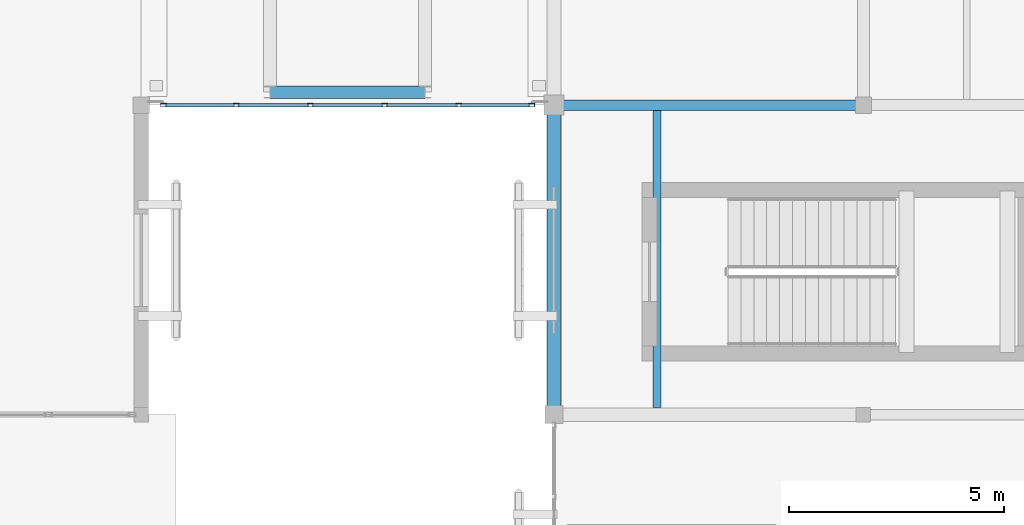
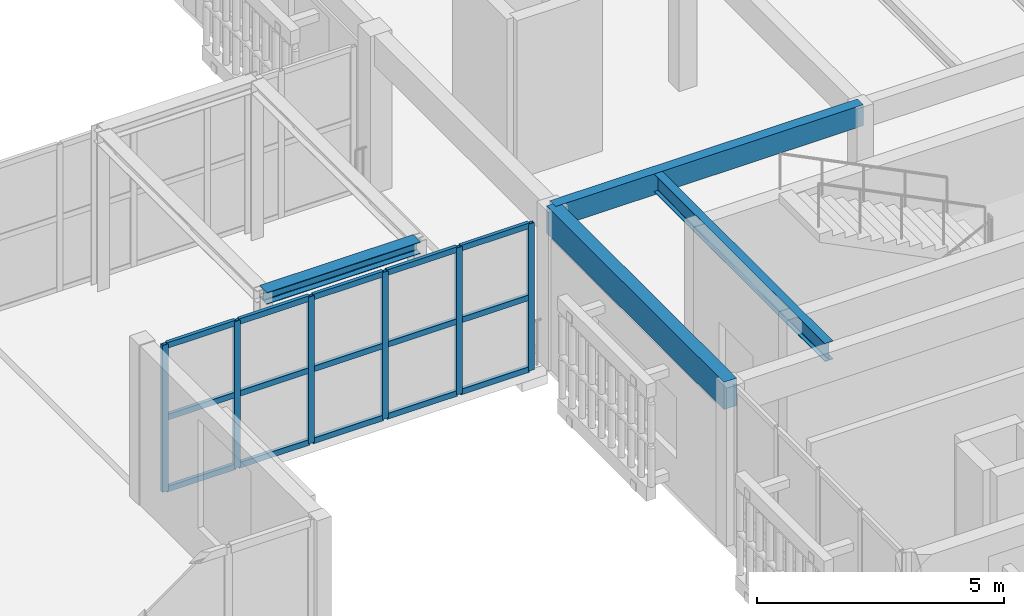
# One storey, part 46 of 217: 21 members, 4 beams, 1 element without a shape of its own.
"""IFC4 building model written with IfcOpenShell, lengths in metres."""

from ifc_helpers import new_model, si_unit, direction, frame, origin, origin_2d, place, context, subcontext, project, spatial, rectangle, hollow_rectangle, i_section, extrude, material, layer, layer_set, material_profile, profile_set, type_object, element, aggregate, save


model = new_model("IFC4")

# Units and contexts
model_context = context("Model", 3, precision=1e-05, world=origin(), true_north=direction((0.0, 1.0)))
body_context = subcontext(model_context, "Body", "Model", "MODEL_VIEW")
ifc_project = project(units=[si_unit("LENGTHUNIT", "METRE"), si_unit("AREAUNIT", "SQUARE_METRE"), si_unit("VOLUMEUNIT", "CUBIC_METRE"), si_unit("PLANEANGLEUNIT", "RADIAN"), si_unit("MASSUNIT", "GRAM", prefix="KILO")], contexts=[model_context])

# Site, building, storey
site_placement = place(None, origin())
site = spatial("IfcSite", under=ifc_project, at=site_placement, CompositionType="ELEMENT")
building_placement = place(site_placement, origin())
building = spatial("IfcBuilding", under=site, at=building_placement, Name="Mazaris Harbour Polytechnic", CompositionType="ELEMENT")
storey_placement = place(building_placement, frame((0.0, 0.0, 9.60009765625)))
storey = spatial("IfcBuildingStorey", under=building, at=storey_placement, Name="L02", CompositionType="ELEMENT", Elevation=9.60009765625)

# Curtain wall, members
ifc_material_1 = material(Name="Anodised Bronze Aluminium and Low-E Glass", Category="aluminium")
ifc_layer = layer(ifc_material_1, 0.139892578125, Name="Anodised Bronze Aluminium and Low-E Glass")
ifc_layer_set = layer_set([ifc_layer], Name="Anodised Bronze Aluminium and Low-E Glass")
curtain_wall_type = type_object("IfcCurtainWallType", Name="Seismic Link Bridge Glazing", PredefinedType="NOTDEFINED", material=ifc_layer_set)
curtain_wall_placement = place(storey_placement, origin())
curtain_wall = element("IfcCurtainWall", 1, at=curtain_wall_placement, inside=storey, type_object=curtain_wall_type, Name="PB-E1 L02 Bridge Glazing", PredefinedType="NOTDEFINED")
ifc_material_2 = material(Name="Anodised Bronze Steel S355", Category="steel")
ifc_material_profile_1 = material_profile(ifc_material_2, hollow_rectangle(XDim=0.080078125, YDim=0.139892578125, WallThickness=0.00634765625, at=origin_2d()), Name="RHS 80x140x6.3")
ifc_profile_set_1 = profile_set([ifc_material_profile_1], Name="Anodised Bronze Steel S355")
member_type_1 = type_object("IfcMemberType", Name="Curtain Mullion RHS80x140", PredefinedType="MULLION", material=ifc_profile_set_1)
member_1_placement = place(storey_placement, frame((113.320068359375, 21.60009765625, 0.0), z_axis=(0.0, 0.0, 1.0), x_axis=(0.0, 1.0, 0.0)))
member_1 = element("IfcMember", 2, at=member_1_placement, type_object=member_type_1, Name="CW-05 mullion 1", PredefinedType="MULLION", context=body_context, shape_type="SweptSolid", body=[
    extrude(hollow_rectangle(XDim=0.080078125, YDim=0.139892578125, WallThickness=0.00634765625, at=origin_2d()), origin(), (0.0, 0.0, 1.0), 3.635009765625),
])
member_2_placement = place(storey_placement, frame((115.008056640625, 21.60009765625, 0.0), z_axis=(0.0, 0.0, 1.0), x_axis=(0.0, 1.0, 0.0)))
member_2 = element("IfcMember", 3, at=member_2_placement, type_object=member_type_1, Name="CW-05 mullion 2", PredefinedType="MULLION", context=body_context, shape_type="SweptSolid", body=[
    extrude(hollow_rectangle(XDim=0.080078125, YDim=0.139892578125, WallThickness=0.00634765625, at=origin_2d()), origin(), (0.0, 0.0, 1.0), 3.635009765625),
])
member_3_placement = place(storey_placement, frame((116.736083984375, 21.60009765625, 0.0), z_axis=(0.0, 0.0, 1.0), x_axis=(0.0, 1.0, 0.0)))
member_3 = element("IfcMember", 4, at=member_3_placement, type_object=member_type_1, Name="CW-05 mullion 3", PredefinedType="MULLION", context=body_context, shape_type="SweptSolid", body=[
    extrude(hollow_rectangle(XDim=0.080078125, YDim=0.139892578125, WallThickness=0.00634765625, at=origin_2d()), origin(), (0.0, 0.0, 1.0), 3.635009765625),
])
member_4_placement = place(storey_placement, frame((118.464111328125, 21.60009765625, 0.0), z_axis=(0.0, 0.0, 1.0), x_axis=(0.0, 1.0, 0.0)))
member_4 = element("IfcMember", 5, at=member_4_placement, type_object=member_type_1, Name="CW-05 mullion 4", PredefinedType="MULLION", context=body_context, shape_type="SweptSolid", body=[
    extrude(hollow_rectangle(XDim=0.080078125, YDim=0.139892578125, WallThickness=0.00634765625, at=origin_2d()), origin(), (0.0, 0.0, 1.0), 3.635009765625),
])
member_5_placement = place(storey_placement, frame((120.19189453125, 21.60009765625, 0.0), z_axis=(0.0, 0.0, 1.0), x_axis=(0.0, 1.0, 0.0)))
member_5 = element("IfcMember", 6, at=member_5_placement, type_object=member_type_1, Name="CW-05 mullion 5", PredefinedType="MULLION", context=body_context, shape_type="SweptSolid", body=[
    extrude(hollow_rectangle(XDim=0.080078125, YDim=0.139892578125, WallThickness=0.00634765625, at=origin_2d()), origin(), (0.0, 0.0, 1.0), 3.635009765625),
])
member_6_placement = place(storey_placement, frame((121.8798828125, 21.60009765625, 0.0), z_axis=(0.0, 0.0, 1.0), x_axis=(0.0, 1.0, 0.0)))
member_6 = element("IfcMember", 7, at=member_6_placement, type_object=member_type_1, Name="CW-05 mullion 6", PredefinedType="MULLION", context=body_context, shape_type="SweptSolid", body=[
    extrude(hollow_rectangle(XDim=0.080078125, YDim=0.139892578125, WallThickness=0.00634765625, at=origin_2d()), origin(), (0.0, 0.0, 1.0), 3.635009765625),
])
ifc_material_3 = material(Name="Anodised Bronze Steel S355", Category="steel")
ifc_material_profile_2 = material_profile(ifc_material_3, hollow_rectangle(XDim=0.080078125, YDim=0.139892578125, WallThickness=0.00634765625, at=origin_2d()), Name="RHS 80x140x6.3")
ifc_profile_set_2 = profile_set([ifc_material_profile_2], Name="Anodised Bronze Steel S355")
member_type_2 = type_object("IfcMemberType", Name="Curtain Transom RHS80x140", PredefinedType="USERDEFINED", material=ifc_profile_set_2)
member_7_placement = place(storey_placement, frame((113.360107421875, 21.60009765625, 0.039794921875), z_axis=(1.0, 0.0, 0.0), x_axis=(0.0, 1.0, 0.0)))
member_7 = element("IfcMember", 8, at=member_7_placement, type_object=member_type_2, Name="CW-05 transom 1.1", ObjectType="TRANSOM", PredefinedType="USERDEFINED", context=body_context, shape_type="SweptSolid", body=[
    extrude(hollow_rectangle(XDim=0.080078125, YDim=0.139892578125, WallThickness=0.00634765625, at=origin_2d()), origin(), (0.0, 0.0, 1.0), 1.60791015625),
])
member_8_placement = place(storey_placement, frame((113.360107421875, 21.60009765625, 1.8173828125), z_axis=(1.0, 0.0, 0.0), x_axis=(0.0, 1.0, 0.0)))
member_8 = element("IfcMember", 9, at=member_8_placement, type_object=member_type_2, Name="CW-05 transom 1.2", ObjectType="TRANSOM", PredefinedType="USERDEFINED", context=body_context, shape_type="SweptSolid", body=[
    extrude(hollow_rectangle(XDim=0.080078125, YDim=0.139892578125, WallThickness=0.00634765625, at=origin_2d()), origin(), (0.0, 0.0, 1.0), 1.60791015625),
])
member_9_placement = place(storey_placement, frame((113.360107421875, 21.60009765625, 3.594970703125), z_axis=(1.0, 0.0, 0.0), x_axis=(0.0, 1.0, 0.0)))
member_9 = element("IfcMember", 10, at=member_9_placement, type_object=member_type_2, Name="CW-05 transom 1.3", ObjectType="TRANSOM", PredefinedType="USERDEFINED", context=body_context, shape_type="SweptSolid", body=[
    extrude(hollow_rectangle(XDim=0.080078125, YDim=0.139892578125, WallThickness=0.00634765625, at=origin_2d()), origin(), (0.0, 0.0, 1.0), 1.60791015625),
])
member_10_placement = place(storey_placement, frame((115.048095703125, 21.60009765625, 0.039794921875), z_axis=(1.0, 0.0, 0.0), x_axis=(0.0, 1.0, 0.0)))
member_10 = element("IfcMember", 11, at=member_10_placement, type_object=member_type_2, Name="CW-05 transom 2.1", ObjectType="TRANSOM", PredefinedType="USERDEFINED", context=body_context, shape_type="SweptSolid", body=[
    extrude(hollow_rectangle(XDim=0.080078125, YDim=0.139892578125, WallThickness=0.00634765625, at=origin_2d()), origin(), (0.0, 0.0, 1.0), 1.64794921875),
])
member_11_placement = place(storey_placement, frame((115.048095703125, 21.60009765625, 1.8173828125), z_axis=(1.0, 0.0, 0.0), x_axis=(0.0, 1.0, 0.0)))
member_11 = element("IfcMember", 12, at=member_11_placement, type_object=member_type_2, Name="CW-05 transom 2.2", ObjectType="TRANSOM", PredefinedType="USERDEFINED", context=body_context, shape_type="SweptSolid", body=[
    extrude(hollow_rectangle(XDim=0.080078125, YDim=0.139892578125, WallThickness=0.00634765625, at=origin_2d()), origin(), (0.0, 0.0, 1.0), 1.64794921875),
])
member_12_placement = place(storey_placement, frame((115.048095703125, 21.60009765625, 3.594970703125), z_axis=(1.0, 0.0, 0.0), x_axis=(0.0, 1.0, 0.0)))
member_12 = element("IfcMember", 13, at=member_12_placement, type_object=member_type_2, Name="CW-05 transom 2.3", ObjectType="TRANSOM", PredefinedType="USERDEFINED", context=body_context, shape_type="SweptSolid", body=[
    extrude(hollow_rectangle(XDim=0.080078125, YDim=0.139892578125, WallThickness=0.00634765625, at=origin_2d()), origin(), (0.0, 0.0, 1.0), 1.64794921875),
])
member_13_placement = place(storey_placement, frame((116.77587890625, 21.60009765625, 0.039794921875), z_axis=(1.0, 0.0, 0.0), x_axis=(0.0, 1.0, 0.0)))
member_13 = element("IfcMember", 14, at=member_13_placement, type_object=member_type_2, Name="CW-05 transom 3.1", ObjectType="TRANSOM", PredefinedType="USERDEFINED", context=body_context, shape_type="SweptSolid", body=[
    extrude(hollow_rectangle(XDim=0.080078125, YDim=0.139892578125, WallThickness=0.00634765625, at=origin_2d()), origin(), (0.0, 0.0, 1.0), 1.648193359375),
])
member_14_placement = place(storey_placement, frame((116.77587890625, 21.60009765625, 1.8173828125), z_axis=(1.0, 0.0, 0.0), x_axis=(0.0, 1.0, 0.0)))
member_14 = element("IfcMember", 15, at=member_14_placement, type_object=member_type_2, Name="CW-05 transom 3.2", ObjectType="TRANSOM", PredefinedType="USERDEFINED", context=body_context, shape_type="SweptSolid", body=[
    extrude(hollow_rectangle(XDim=0.080078125, YDim=0.139892578125, WallThickness=0.00634765625, at=origin_2d()), origin(), (0.0, 0.0, 1.0), 1.648193359375),
])
member_15_placement = place(storey_placement, frame((116.77587890625, 21.60009765625, 3.594970703125), z_axis=(1.0, 0.0, 0.0), x_axis=(0.0, 1.0, 0.0)))
member_15 = element("IfcMember", 16, at=member_15_placement, type_object=member_type_2, Name="CW-05 transom 3.3", ObjectType="TRANSOM", PredefinedType="USERDEFINED", context=body_context, shape_type="SweptSolid", body=[
    extrude(hollow_rectangle(XDim=0.080078125, YDim=0.139892578125, WallThickness=0.00634765625, at=origin_2d()), origin(), (0.0, 0.0, 1.0), 1.648193359375),
])
member_16_placement = place(storey_placement, frame((118.50390625, 21.60009765625, 0.039794921875), z_axis=(1.0, 0.0, 0.0), x_axis=(0.0, 1.0, 0.0)))
member_16 = element("IfcMember", 17, at=member_16_placement, type_object=member_type_2, Name="CW-05 transom 4.1", ObjectType="TRANSOM", PredefinedType="USERDEFINED", context=body_context, shape_type="SweptSolid", body=[
    extrude(hollow_rectangle(XDim=0.080078125, YDim=0.139892578125, WallThickness=0.00634765625, at=origin_2d()), origin(), (0.0, 0.0, 1.0), 1.648193359375),
])
member_17_placement = place(storey_placement, frame((118.50390625, 21.60009765625, 1.8173828125), z_axis=(1.0, 0.0, 0.0), x_axis=(0.0, 1.0, 0.0)))
member_17 = element("IfcMember", 18, at=member_17_placement, type_object=member_type_2, Name="CW-05 transom 4.2", ObjectType="TRANSOM", PredefinedType="USERDEFINED", context=body_context, shape_type="SweptSolid", body=[
    extrude(hollow_rectangle(XDim=0.080078125, YDim=0.139892578125, WallThickness=0.00634765625, at=origin_2d()), origin(), (0.0, 0.0, 1.0), 1.648193359375),
])
member_18_placement = place(storey_placement, frame((118.50390625, 21.60009765625, 3.594970703125), z_axis=(1.0, 0.0, 0.0), x_axis=(0.0, 1.0, 0.0)))
member_18 = element("IfcMember", 19, at=member_18_placement, type_object=member_type_2, Name="CW-05 transom 4.3", ObjectType="TRANSOM", PredefinedType="USERDEFINED", context=body_context, shape_type="SweptSolid", body=[
    extrude(hollow_rectangle(XDim=0.080078125, YDim=0.139892578125, WallThickness=0.00634765625, at=origin_2d()), origin(), (0.0, 0.0, 1.0), 1.648193359375),
])
member_19_placement = place(storey_placement, frame((120.23193359375, 21.60009765625, 0.039794921875), z_axis=(1.0, 0.0, 0.0), x_axis=(0.0, 1.0, 0.0)))
member_19 = element("IfcMember", 20, at=member_19_placement, type_object=member_type_2, Name="CW-05 transom 5.1", ObjectType="TRANSOM", PredefinedType="USERDEFINED", context=body_context, shape_type="SweptSolid", body=[
    extrude(hollow_rectangle(XDim=0.080078125, YDim=0.139892578125, WallThickness=0.00634765625, at=origin_2d()), origin(), (0.0, 0.0, 1.0), 1.608154296875),
])
member_20_placement = place(storey_placement, frame((120.23193359375, 21.60009765625, 1.8173828125), z_axis=(1.0, 0.0, 0.0), x_axis=(0.0, 1.0, 0.0)))
member_20 = element("IfcMember", 21, at=member_20_placement, type_object=member_type_2, Name="CW-05 transom 5.2", ObjectType="TRANSOM", PredefinedType="USERDEFINED", context=body_context, shape_type="SweptSolid", body=[
    extrude(hollow_rectangle(XDim=0.080078125, YDim=0.139892578125, WallThickness=0.00634765625, at=origin_2d()), origin(), (0.0, 0.0, 1.0), 1.608154296875),
])
member_21_placement = place(storey_placement, frame((120.23193359375, 21.60009765625, 3.594970703125), z_axis=(1.0, 0.0, 0.0), x_axis=(0.0, 1.0, 0.0)))
member_21 = element("IfcMember", 22, at=member_21_placement, type_object=member_type_2, Name="CW-05 transom 5.3", ObjectType="TRANSOM", PredefinedType="USERDEFINED", context=body_context, shape_type="SweptSolid", body=[
    extrude(hollow_rectangle(XDim=0.080078125, YDim=0.139892578125, WallThickness=0.00634765625, at=origin_2d()), origin(), (0.0, 0.0, 1.0), 1.608154296875),
])
aggregate(curtain_wall, [member_1, member_2, member_3, member_4, member_5, member_6, member_7, member_8, member_9, member_10, member_11, member_12, member_13, member_14, member_15, member_16, member_17, member_18, member_19, member_20, member_21])

# Beams
ifc_material_4 = material(Name="Glulam GL32h", Category="wood")
ifc_material_profile_3 = material_profile(ifc_material_4, rectangle(XDim=0.239990234375, YDim=0.52001953125, at=origin_2d()), Name="RECT240x520")
ifc_profile_set_3 = profile_set([ifc_material_profile_3], Name="Glulam GL32h")
beam_type_1 = type_object("IfcBeamType", Name="Glulam Girder 240x520", PredefinedType="BEAM", material=ifc_profile_set_3)
beam_1_placement = place(storey_placement, frame((122.39990234375, 21.60009765625, 3.659912109375), z_axis=(1.0, 0.0, 0.0), x_axis=(0.0, 1.0, 0.0)))
element("IfcBeam", 23, at=beam_1_placement, inside=storey, type_object=beam_type_1, Name="V2 L02 Girder 650", PredefinedType="BEAM", context=body_context, shape_type="SweptSolid", body=[
    extrude(rectangle(XDim=0.239990234375, YDim=0.52001953125, at=origin_2d()), origin(), (0.0, 0.0, 1.0), 7.2001953125),
])
ifc_material_5 = material(Name="Glulam GL32h", Category="wood")
ifc_material_profile_4 = material_profile(ifc_material_5, rectangle(XDim=0.300048828125, YDim=0.679931640625, at=origin_2d()), Name="RECT300x680")
ifc_profile_set_4 = profile_set([ifc_material_profile_4], Name="Glulam GL32h")
beam_type_2 = type_object("IfcBeamType", Name="Glulam Girder 300x680 Exterior", PredefinedType="BEAM", material=ifc_profile_set_4)
beam_2_placement = place(storey_placement, frame((122.39990234375, 14.39990234375, 3.579833984375), z_axis=(0.0, 1.0, 0.0), x_axis=(-1.0, 0.0, 0.0)))
element("IfcBeam", 24, at=beam_2_placement, inside=storey, type_object=beam_type_2, Name="V2 L02 Tie Girder 673", PredefinedType="BEAM", context=body_context, shape_type="SweptSolid", body=[
    extrude(rectangle(XDim=0.300048828125, YDim=0.679931640625, at=origin_2d()), origin(), (0.0, 0.0, 1.0), 7.2001953125),
])
ifc_material_6 = material(Name="Steel S355", Category="steel")
ifc_material_profile_5 = material_profile(ifc_material_6, i_section(OverallWidth=0.300048828125, OverallDepth=0.2900390625, WebThickness=0.008544921875, FlangeThickness=0.013916015625, FilletRadius=0.027099609375, at=origin_2d()), Name="HEA 300")
ifc_profile_set_5 = profile_set([ifc_material_profile_5], Name="Steel S355")
beam_type_3 = type_object("IfcBeamType", Name="Steel Beam HEA300 Exterior", PredefinedType="SPANDREL", material=ifc_profile_set_5)
beam_3_placement = place(storey_placement, frame((115.800048828125, 21.89990234375, 3.789794921875), z_axis=(1.0, 0.0, 0.0), x_axis=(0.0, 1.0, 0.0)))
element("IfcBeam", 25, at=beam_3_placement, inside=storey, type_object=beam_type_3, Name="PB-E1 L02 Bridge Beam 3447", PredefinedType="SPANDREL", context=body_context, shape_type="SweptSolid", body=[
    extrude(i_section(OverallWidth=0.300048828125, OverallDepth=0.2900390625, WebThickness=0.008544921875, FlangeThickness=0.013916015625, FilletRadius=0.027099609375, at=origin_2d()), origin(), (0.0, 0.0, 1.0), 3.599853515625),
])
ifc_material_7 = material(Name="Steel S355", Category="steel")
ifc_material_profile_6 = material_profile(ifc_material_7, i_section(OverallWidth=0.18994140625, OverallDepth=0.449951171875, WebThickness=0.009521484375, FlangeThickness=0.0146484375, FilletRadius=0.02099609375, at=origin_2d()), Name="IPE 450")
ifc_profile_set_6 = profile_set([ifc_material_profile_6], Name="Steel S355")
beam_type_4 = type_object("IfcBeamType", Name="Steel Joist IPE450", PredefinedType="JOIST", material=ifc_profile_set_6)
beam_4_placement = place(storey_placement, frame((124.800048828125, 14.56005859375, 3.69482421875), z_axis=(0.0, 1.0, 0.0), x_axis=(-1.0, 0.0, 0.0)))
element("IfcBeam", 26, at=beam_4_placement, inside=storey, type_object=beam_type_4, Name="V2 L02 Floor Joist 699", PredefinedType="JOIST", context=body_context, shape_type="SweptSolid", body=[
    extrude(i_section(OverallWidth=0.18994140625, OverallDepth=0.449951171875, WebThickness=0.009521484375, FlangeThickness=0.0146484375, FilletRadius=0.02099609375, at=origin_2d()), origin(), (0.0, 0.0, 1.0), 6.919921875),
])

save(model, "model.ifc")
